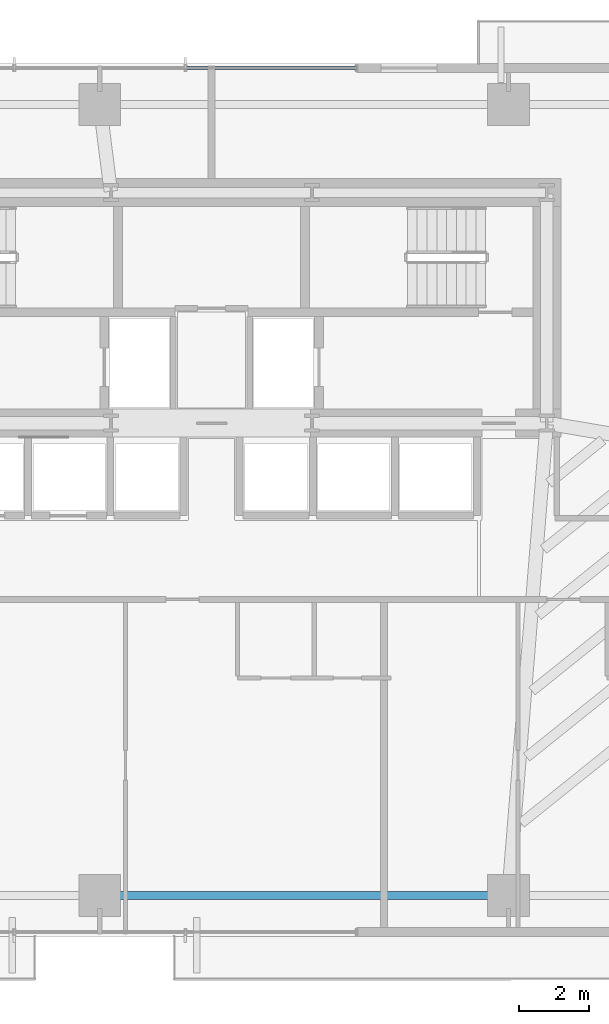
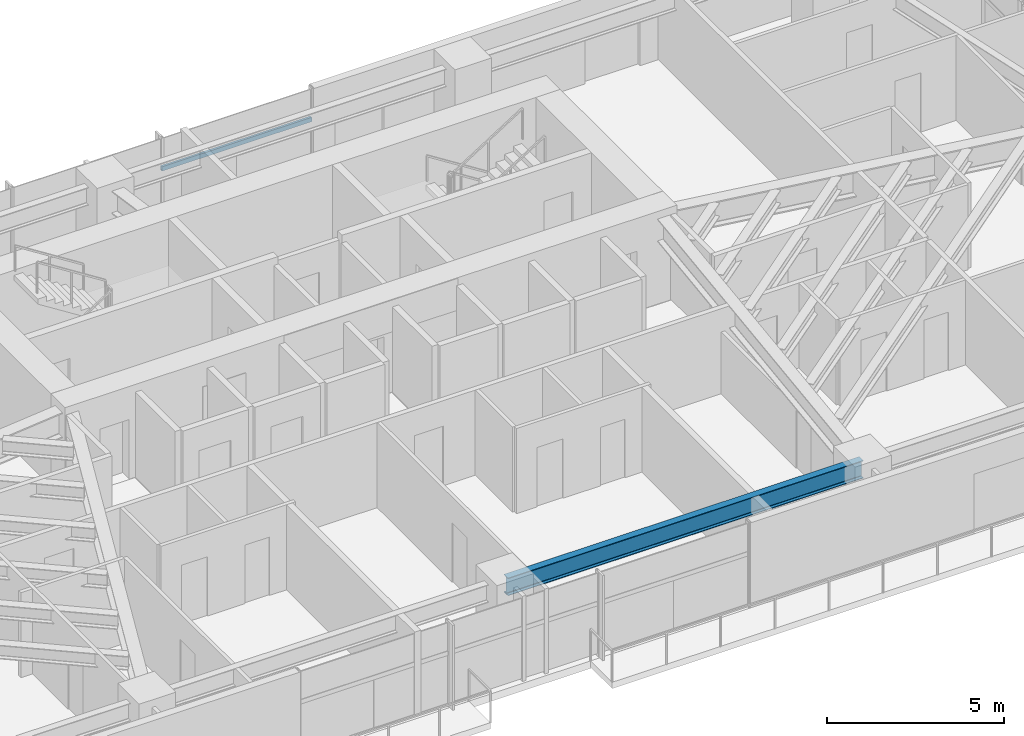
# One storey, part 11 of 25: 1 beam, 1 member, 1 element without a shape of its own.
"""IFC4 building model written with IfcOpenShell, lengths in metres."""

from ifc_helpers import new_model, si_unit, direction, frame, origin, origin_2d, place, context, subcontext, project, spatial, hollow_rectangle, i_section, extrude, source, transform, mapped, material, material_profile, profile_set, type_object, type_shapes, element, aggregate, save


model = new_model("IFC4")

# Units and contexts
model_context = context("Model", 3, precision=1e-05, world=origin(), true_north=direction((0.0, 1.0)))
body_context = subcontext(model_context, "Body", "Model", "MODEL_VIEW")
ifc_project = project(units=[si_unit("LENGTHUNIT", "METRE"), si_unit("AREAUNIT", "SQUARE_METRE"), si_unit("VOLUMEUNIT", "CUBIC_METRE"), si_unit("PLANEANGLEUNIT", "RADIAN"), si_unit("MASSUNIT", "GRAM", prefix="KILO")], contexts=[model_context])

# Site, building, storey
site_placement = place(None, origin())
site = spatial("IfcSite", under=ifc_project, at=site_placement, CompositionType="ELEMENT")
building_placement = place(site_placement, origin())
building = spatial("IfcBuilding", under=site, at=building_placement, Name="Astriad Promenade Condominiums", CompositionType="ELEMENT")
storey_placement = place(building_placement, frame((0.0, 0.0, 51.800048828125)))
storey = spatial("IfcBuildingStorey", under=building, at=storey_placement, Name="L14", CompositionType="ELEMENT", Elevation=51.800048828125)

# Beam
ifc_material_1 = material(Name="Steel ASTM A992 Grade 50", Category="steel")
ifc_material_profile_1 = material_profile(ifc_material_1, i_section(OverallWidth=0.22900390625, OverallDepth=0.612060546875, WebThickness=0.011962890625, FlangeThickness=0.01953125, FilletRadius=0.017822265625, at=origin_2d()), Name="W24X84")
ifc_profile_set_1 = profile_set([ifc_material_profile_1], Name="Steel ASTM A992 Grade 50")
beam_type = type_object("IfcBeamType", Name="STEEL SPANDREL BEAM W24X84", PredefinedType="SPANDREL", material=ifc_profile_set_1)
shared_shape_1 = source(origin(), body_context, "Body", "SweptSolid", [
    extrude(i_section(OverallWidth=0.22900390625, OverallDepth=0.612060546875, WebThickness=0.011962890625, FlangeThickness=0.01953125, FilletRadius=0.017822265625, at=origin_2d()), origin(), (0.0, 0.0, 1.0), 11.619873046875),
])
type_shapes(beam_type, [shared_shape_1])
beam_placement = place(storey_placement, frame((32.840087890625, 3.8798828125, 2.634033203125), z_axis=(1.0, 0.0, 0.0), x_axis=(0.0, 1.0, 0.0)))
element("IfcBeam", 1, at=beam_placement, inside=storey, type_object=beam_type, Name="Perimeter Spandrel Beam SP-S3-L14", PredefinedType="SPANDREL", context=body_context, shape_type="MappedRepresentation", body=[
    mapped(shared_shape_1, transform((0.0, 0.0, 0.0), scale=1.0)),
])

# Curtain wall, member
ifc_material_2 = material(Name="Anodised aluminium Black Dark Glass Unitised", Category="aluminium")
curtain_wall_type = type_object("IfcCurtainWallType", Name="CW-B1-DARK", PredefinedType="USERDEFINED", material=ifc_material_2)
curtain_wall_placement = place(storey_placement, origin())
curtain_wall = element("IfcCurtainWall", 2, at=curtain_wall_placement, inside=storey, type_object=curtain_wall_type, Name="CW-L14-N", ObjectType="UNITISED_CURTAIN_WALL", PredefinedType="USERDEFINED")
ifc_material_3 = material(Name="Anodised aluminium 6063-T6 Black", Category="aluminium")
ifc_material_profile_2 = material_profile(ifc_material_3, hollow_rectangle(XDim=0.074951171875, YDim=0.14990234375, WallThickness=0.004150390625, at=origin_2d()), Name="ALU-TRN-75X150")
ifc_profile_set_2 = profile_set([ifc_material_profile_2], Name="Anodised aluminium 6063-T6 Black")
member_type = type_object("IfcMemberType", Name="TRN-ALU-TRN-75X150", PredefinedType="USERDEFINED", material=ifc_profile_set_2)
shared_shape_2 = source(origin(), body_context, "Body", "SweptSolid", [
    extrude(hollow_rectangle(XDim=0.074951171875, YDim=0.14990234375, WallThickness=0.004150390625, at=origin_2d()), origin(), (0.0, 0.0, 1.0), 4.89990234375),
])
type_shapes(member_type, [shared_shape_2])
member_placement = place(storey_placement, frame((35.25, 27.570068359375, 1.82275390625), z_axis=(1.0, 0.0, 0.0), x_axis=(0.0, 1.0, 0.0)))
member = element("IfcMember", 3, at=member_placement, type_object=member_type, Name="CW-L14-N-TRN-02-0", ObjectType="TRANSOM", PredefinedType="USERDEFINED", context=body_context, shape_type="MappedRepresentation", body=[
    mapped(shared_shape_2, transform((0.0, 0.0, 0.0), scale=1.0)),
])
aggregate(curtain_wall, [member])

save(model, "model.ifc")
